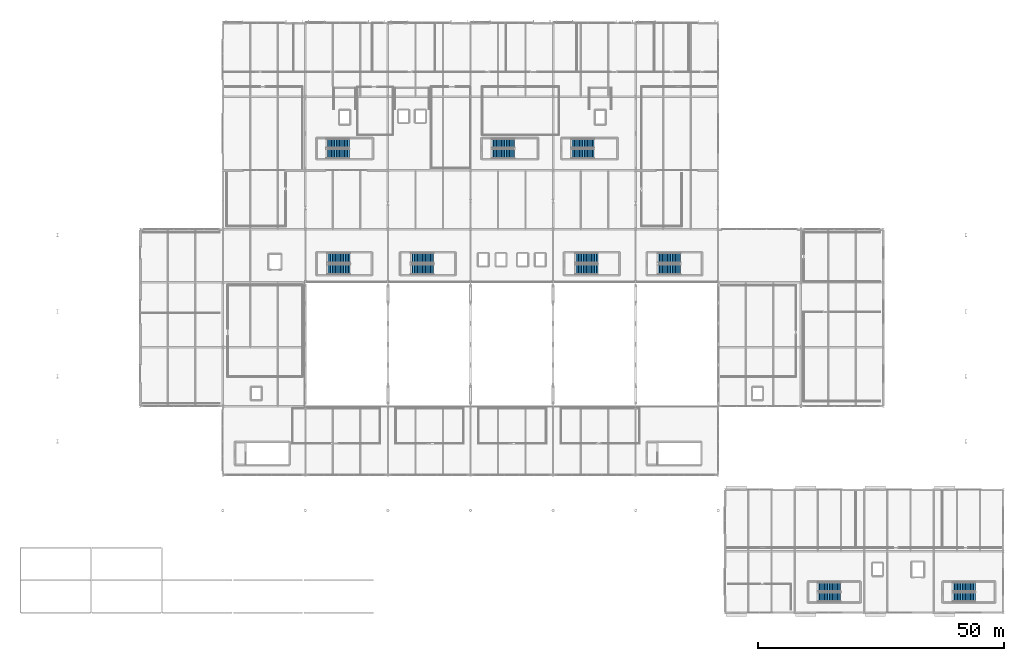
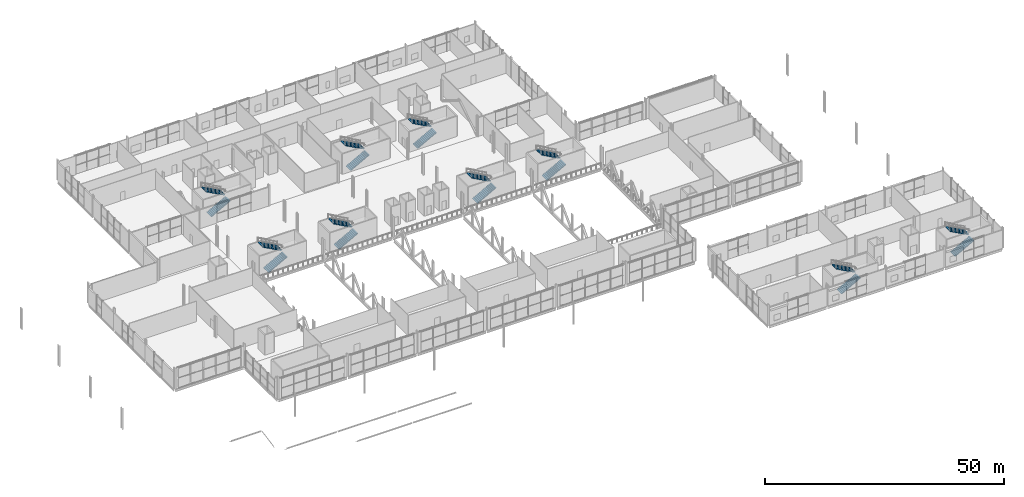
# One storey, part 69 of 84: 18 stair flights, 9 elements without a shape of their own.
"""IFC4 building model written with IfcOpenShell, lengths in metres."""

from ifc_helpers import new_model, si_unit, direction, frame, origin, place, context, subcontext, project, spatial, polyline, outline, extrude, material, type_object, element, aggregate, save


model = new_model("IFC4")

# Units and contexts
model_context = context("Model", 3, precision=1e-05, world=origin(), true_north=direction((0.0, 1.0)))
body_context = subcontext(model_context, "Body", "Model", "MODEL_VIEW")
ifc_project = project(units=[si_unit("LENGTHUNIT", "METRE"), si_unit("AREAUNIT", "SQUARE_METRE"), si_unit("VOLUMEUNIT", "CUBIC_METRE"), si_unit("PLANEANGLEUNIT", "RADIAN"), si_unit("MASSUNIT", "GRAM", prefix="KILO")], contexts=[model_context])

# Site, building, storey
site_placement = place(None, origin())
site = spatial("IfcSite", under=ifc_project, at=site_placement, CompositionType="ELEMENT")
building_placement = place(site_placement, origin())
building = spatial("IfcBuilding", under=site, at=building_placement, Name="Kimbaza Rail Terminus", CompositionType="ELEMENT")
storey_placement = place(building_placement, frame((0.0, 0.0, 5.39990234375)))
storey = spatial("IfcBuildingStorey", under=building, at=storey_placement, Name="L01", CompositionType="ELEMENT", Elevation=5.39990234375)

# Stair, stair flights
ifc_material_1 = material(Name="Concrete C40/50", Category="concrete")
stair_type_1 = type_object("IfcStairType", Name="ARC-STR-02", PredefinedType="HALF_TURN_STAIR", material=ifc_material_1)
stair_1_placement = place(storey_placement, origin())
stair_1 = element("IfcStair", 1, at=stair_1_placement, inside=storey, type_object=stair_type_1, Name="L01 Operations West Exit Stair", PredefinedType="HALF_TURN_STAIR")
ifc_material_2 = material(Name="Concrete C40/50", Category="concrete")
stair_flight_type_1 = type_object("IfcStairFlightType", Name="ARC-SFL-02", PredefinedType="STRAIGHT", material=ifc_material_2)
stair_flight_1_placement = place(storey_placement, frame((76.320068359375, 106.360107421875, 0.0), z_axis=(0.0, 0.0, 1.0), x_axis=(1.0, 0.0, 0.0)))
stair_flight_1 = element("IfcStairFlight", 2, at=stair_flight_1_placement, type_object=stair_flight_type_1, Name="ST-W1 flight 1", NumberOfRisers=15, NumberOfTreads=14, PredefinedType="STRAIGHT", RiserHeight=0.18, TreadLength=0.33, context=body_context, shape_type="SweptSolid", body=[
    extrude(outline(polyline([(0.0, 0.0), (0.0, 0.179931640625), (0.330078125, 0.179931640625), (0.330078125, 0.360107421875), (0.659912109375, 0.360107421875), (0.659912109375, 0.5400390625), (0.989990234375, 0.5400390625), (0.989990234375, 0.719970703125), (1.320068359375, 0.719970703125), (1.320068359375, 0.89990234375), (1.64990234375, 0.89990234375), (1.64990234375, 1.080078125), (1.97998046875, 1.080078125), (1.97998046875, 1.260009765625), (2.31005859375, 1.260009765625), (2.31005859375, 1.43994140625), (2.639892578125, 1.43994140625), (2.639892578125, 1.6201171875), (2.969970703125, 1.6201171875), (2.969970703125, 1.800048828125), (3.300048828125, 1.800048828125), (3.300048828125, 1.97998046875), (3.6298828125, 1.97998046875), (3.6298828125, 2.159912109375), (3.9599609375, 2.159912109375), (3.9599609375, 2.340087890625), (4.2900390625, 2.340087890625), (4.2900390625, 2.52001953125), (4.6201171875, 2.52001953125), (4.6201171875, 2.699951171875), (4.6201171875, 2.349365234375), (0.31298828125, 0.0), (0.0, 0.0)])), frame((0.0, 0.9599609375, 0.0), z_axis=(0.0, -1.0, 0.0), x_axis=(1.0, 0.0, 0.0)), (0.0, 0.0, 1.0), 1.919921875),
])
stair_flight_2_placement = place(storey_placement, frame((80.93994140625, 108.47998046875, 2.7001953125), z_axis=(0.0, 0.0, 1.0), x_axis=(-1.0, 0.0, 0.0)))
stair_flight_2 = element("IfcStairFlight", 3, at=stair_flight_2_placement, type_object=stair_flight_type_1, Name="ST-W1 flight 2", NumberOfRisers=15, NumberOfTreads=14, PredefinedType="STRAIGHT", RiserHeight=0.18, TreadLength=0.33, context=body_context, shape_type="SweptSolid", body=[
    extrude(outline(polyline([(0.0, 0.0), (0.0, 0.179931640625), (0.330078125, 0.179931640625), (0.330078125, 0.360107421875), (0.659912109375, 0.360107421875), (0.659912109375, 0.5400390625), (0.989990234375, 0.5400390625), (0.989990234375, 0.719970703125), (1.320068359375, 0.719970703125), (1.320068359375, 0.89990234375), (1.64990234375, 0.89990234375), (1.64990234375, 1.080078125), (1.97998046875, 1.080078125), (1.97998046875, 1.260009765625), (2.31005859375, 1.260009765625), (2.31005859375, 1.43994140625), (2.639892578125, 1.43994140625), (2.639892578125, 1.6201171875), (2.969970703125, 1.6201171875), (2.969970703125, 1.800048828125), (3.300048828125, 1.800048828125), (3.300048828125, 1.97998046875), (3.6298828125, 1.97998046875), (3.6298828125, 2.159912109375), (3.9599609375, 2.159912109375), (3.9599609375, 2.340087890625), (4.2900390625, 2.340087890625), (4.2900390625, 2.52001953125), (4.6201171875, 2.52001953125), (4.6201171875, 2.699951171875), (4.6201171875, 2.349365234375), (0.31298828125, 0.0), (0.0, 0.0)])), frame((0.0, 0.9599609375, 0.0), z_axis=(0.0, -1.0, 0.0), x_axis=(1.0, 0.0, 0.0)), (0.0, 0.0, 1.0), 1.919921875),
])
aggregate(stair_1, [stair_flight_1, stair_flight_2])

stair_2_placement = place(storey_placement, origin())
stair_2 = element("IfcStair", 4, at=stair_2_placement, inside=storey, type_object=stair_type_1, Name="L01 Operations Central Exit Stair", PredefinedType="HALF_TURN_STAIR")
stair_flight_3_placement = place(storey_placement, frame((109.919921875, 106.360107421875, 0.0), z_axis=(0.0, 0.0, 1.0), x_axis=(1.0, 0.0, 0.0)))
stair_flight_3 = element("IfcStairFlight", 5, at=stair_flight_3_placement, type_object=stair_flight_type_1, Name="ST-M1 flight 1", NumberOfRisers=15, NumberOfTreads=14, PredefinedType="STRAIGHT", RiserHeight=0.18, TreadLength=0.33, context=body_context, shape_type="SweptSolid", body=[
    extrude(outline(polyline([(0.0, 0.0), (0.0, 0.179931640625), (0.330078125, 0.179931640625), (0.330078125, 0.360107421875), (0.659912109375, 0.360107421875), (0.659912109375, 0.5400390625), (0.989990234375, 0.5400390625), (0.989990234375, 0.719970703125), (1.320068359375, 0.719970703125), (1.320068359375, 0.89990234375), (1.64990234375, 0.89990234375), (1.64990234375, 1.080078125), (1.97998046875, 1.080078125), (1.97998046875, 1.260009765625), (2.31005859375, 1.260009765625), (2.31005859375, 1.43994140625), (2.639892578125, 1.43994140625), (2.639892578125, 1.6201171875), (2.969970703125, 1.6201171875), (2.969970703125, 1.800048828125), (3.300048828125, 1.800048828125), (3.300048828125, 1.97998046875), (3.6298828125, 1.97998046875), (3.6298828125, 2.159912109375), (3.9599609375, 2.159912109375), (3.9599609375, 2.340087890625), (4.2900390625, 2.340087890625), (4.2900390625, 2.52001953125), (4.6201171875, 2.52001953125), (4.6201171875, 2.699951171875), (4.6201171875, 2.349365234375), (0.31298828125, 0.0), (0.0, 0.0)])), frame((0.0, 0.9599609375, 0.0), z_axis=(0.0, -1.0, 0.0), x_axis=(1.0, 0.0, 0.0)), (0.0, 0.0, 1.0), 1.919921875),
])
stair_flight_4_placement = place(storey_placement, frame((114.5400390625, 108.47998046875, 2.7001953125), z_axis=(0.0, 0.0, 1.0), x_axis=(-1.0, 0.0, 0.0)))
stair_flight_4 = element("IfcStairFlight", 6, at=stair_flight_4_placement, type_object=stair_flight_type_1, Name="ST-M1 flight 2", NumberOfRisers=15, NumberOfTreads=14, PredefinedType="STRAIGHT", RiserHeight=0.18, TreadLength=0.33, context=body_context, shape_type="SweptSolid", body=[
    extrude(outline(polyline([(0.0, 0.0), (0.0, 0.179931640625), (0.330078125, 0.179931640625), (0.330078125, 0.360107421875), (0.659912109375, 0.360107421875), (0.659912109375, 0.5400390625), (0.989990234375, 0.5400390625), (0.989990234375, 0.719970703125), (1.320068359375, 0.719970703125), (1.320068359375, 0.89990234375), (1.64990234375, 0.89990234375), (1.64990234375, 1.080078125), (1.97998046875, 1.080078125), (1.97998046875, 1.260009765625), (2.31005859375, 1.260009765625), (2.31005859375, 1.43994140625), (2.639892578125, 1.43994140625), (2.639892578125, 1.6201171875), (2.969970703125, 1.6201171875), (2.969970703125, 1.800048828125), (3.300048828125, 1.800048828125), (3.300048828125, 1.97998046875), (3.6298828125, 1.97998046875), (3.6298828125, 2.159912109375), (3.9599609375, 2.159912109375), (3.9599609375, 2.340087890625), (4.2900390625, 2.340087890625), (4.2900390625, 2.52001953125), (4.6201171875, 2.52001953125), (4.6201171875, 2.699951171875), (4.6201171875, 2.349365234375), (0.31298828125, 0.0), (0.0, 0.0)])), frame((0.0, 0.9599609375, 0.0), z_axis=(0.0, -1.0, 0.0), x_axis=(1.0, 0.0, 0.0)), (0.0, 0.0, 1.0), 1.919921875),
])
aggregate(stair_2, [stair_flight_3, stair_flight_4])

stair_3_placement = place(storey_placement, origin())
stair_3 = element("IfcStair", 7, at=stair_3_placement, inside=storey, type_object=stair_type_1, Name="L01 Operations East Exit Stair", PredefinedType="HALF_TURN_STAIR")
stair_flight_5_placement = place(storey_placement, frame((126.1201171875, 106.360107421875, 0.0), z_axis=(0.0, 0.0, 1.0), x_axis=(1.0, 0.0, 0.0)))
stair_flight_5 = element("IfcStairFlight", 8, at=stair_flight_5_placement, type_object=stair_flight_type_1, Name="ST-E1 flight 1", NumberOfRisers=15, NumberOfTreads=14, PredefinedType="STRAIGHT", RiserHeight=0.18, TreadLength=0.33, context=body_context, shape_type="SweptSolid", body=[
    extrude(outline(polyline([(0.0, 0.0), (0.0, 0.179931640625), (0.330078125, 0.179931640625), (0.330078125, 0.360107421875), (0.659912109375, 0.360107421875), (0.659912109375, 0.5400390625), (0.989990234375, 0.5400390625), (0.989990234375, 0.719970703125), (1.320068359375, 0.719970703125), (1.320068359375, 0.89990234375), (1.64990234375, 0.89990234375), (1.64990234375, 1.080078125), (1.97998046875, 1.080078125), (1.97998046875, 1.260009765625), (2.31005859375, 1.260009765625), (2.31005859375, 1.43994140625), (2.639892578125, 1.43994140625), (2.639892578125, 1.6201171875), (2.969970703125, 1.6201171875), (2.969970703125, 1.800048828125), (3.300048828125, 1.800048828125), (3.300048828125, 1.97998046875), (3.6298828125, 1.97998046875), (3.6298828125, 2.159912109375), (3.9599609375, 2.159912109375), (3.9599609375, 2.340087890625), (4.2900390625, 2.340087890625), (4.2900390625, 2.52001953125), (4.6201171875, 2.52001953125), (4.6201171875, 2.699951171875), (4.6201171875, 2.349365234375), (0.31298828125, 0.0), (0.0, 0.0)])), frame((0.0, 0.9599609375, 0.0), z_axis=(0.0, -1.0, 0.0), x_axis=(1.0, 0.0, 0.0)), (0.0, 0.0, 1.0), 1.919921875),
])
stair_flight_6_placement = place(storey_placement, frame((130.739990234375, 108.47998046875, 2.7001953125), z_axis=(0.0, 0.0, 1.0), x_axis=(-1.0, 0.0, 0.0)))
stair_flight_6 = element("IfcStairFlight", 9, at=stair_flight_6_placement, type_object=stair_flight_type_1, Name="ST-E1 flight 2", NumberOfRisers=15, NumberOfTreads=14, PredefinedType="STRAIGHT", RiserHeight=0.18, TreadLength=0.33, context=body_context, shape_type="SweptSolid", body=[
    extrude(outline(polyline([(0.0, 0.0), (0.0, 0.179931640625), (0.330078125, 0.179931640625), (0.330078125, 0.360107421875), (0.659912109375, 0.360107421875), (0.659912109375, 0.5400390625), (0.989990234375, 0.5400390625), (0.989990234375, 0.719970703125), (1.320068359375, 0.719970703125), (1.320068359375, 0.89990234375), (1.64990234375, 0.89990234375), (1.64990234375, 1.080078125), (1.97998046875, 1.080078125), (1.97998046875, 1.260009765625), (2.31005859375, 1.260009765625), (2.31005859375, 1.43994140625), (2.639892578125, 1.43994140625), (2.639892578125, 1.6201171875), (2.969970703125, 1.6201171875), (2.969970703125, 1.800048828125), (3.300048828125, 1.800048828125), (3.300048828125, 1.97998046875), (3.6298828125, 1.97998046875), (3.6298828125, 2.159912109375), (3.9599609375, 2.159912109375), (3.9599609375, 2.340087890625), (4.2900390625, 2.340087890625), (4.2900390625, 2.52001953125), (4.6201171875, 2.52001953125), (4.6201171875, 2.699951171875), (4.6201171875, 2.349365234375), (0.31298828125, 0.0), (0.0, 0.0)])), frame((0.0, 0.9599609375, 0.0), z_axis=(0.0, -1.0, 0.0), x_axis=(1.0, 0.0, 0.0)), (0.0, 0.0, 1.0), 1.919921875),
])
aggregate(stair_3, [stair_flight_5, stair_flight_6])

ifc_material_3 = material(Name="Concrete C40/50", Category="concrete")
stair_type_2 = type_object("IfcStairType", Name="ARC-STR-06", PredefinedType="HALF_TURN_STAIR", material=ifc_material_3)
stair_4_placement = place(storey_placement, origin())
stair_4 = element("IfcStair", 10, at=stair_4_placement, inside=storey, type_object=stair_type_2, Name="L01 Platform West Concourse Stair", PredefinedType="HALF_TURN_STAIR")
ifc_material_4 = material(Name="Concrete C40/50", Category="concrete")
stair_flight_type_2 = type_object("IfcStairFlightType", Name="ARC-SFL-06", PredefinedType="STRAIGHT", material=ifc_material_4)
stair_flight_7_placement = place(storey_placement, frame((76.5, 82.85009765625, 0.0), z_axis=(0.0, 0.0, 1.0), x_axis=(1.0, 0.0, 0.0)))
stair_flight_7 = element("IfcStairFlight", 11, at=stair_flight_7_placement, type_object=stair_flight_type_2, Name="ST-C1 flight 1", NumberOfRisers=15, NumberOfTreads=14, PredefinedType="STRAIGHT", RiserHeight=0.18, TreadLength=0.33, context=body_context, shape_type="SweptSolid", body=[
    extrude(outline(polyline([(0.0, 0.0), (0.0, 0.179931640625), (0.330078125, 0.179931640625), (0.330078125, 0.360107421875), (0.659912109375, 0.360107421875), (0.659912109375, 0.5400390625), (0.989990234375, 0.5400390625), (0.989990234375, 0.719970703125), (1.320068359375, 0.719970703125), (1.320068359375, 0.89990234375), (1.64990234375, 0.89990234375), (1.64990234375, 1.080078125), (1.97998046875, 1.080078125), (1.97998046875, 1.260009765625), (2.31005859375, 1.260009765625), (2.31005859375, 1.43994140625), (2.639892578125, 1.43994140625), (2.639892578125, 1.6201171875), (2.969970703125, 1.6201171875), (2.969970703125, 1.800048828125), (3.300048828125, 1.800048828125), (3.300048828125, 1.97998046875), (3.6298828125, 1.97998046875), (3.6298828125, 2.159912109375), (3.9599609375, 2.159912109375), (3.9599609375, 2.340087890625), (4.2900390625, 2.340087890625), (4.2900390625, 2.52001953125), (4.6201171875, 2.52001953125), (4.6201171875, 2.699951171875), (4.6201171875, 2.349365234375), (0.31298828125, 0.0), (0.0, 0.0)])), frame((0.0, 1.050048828125, 0.0), z_axis=(0.0, -1.0, 0.0), x_axis=(1.0, 0.0, 0.0)), (0.0, 0.0, 1.0), 2.10009765625),
])
stair_flight_8_placement = place(storey_placement, frame((81.1201171875, 85.14990234375, 2.7001953125), z_axis=(0.0, 0.0, 1.0), x_axis=(-1.0, 0.0, 0.0)))
stair_flight_8 = element("IfcStairFlight", 12, at=stair_flight_8_placement, type_object=stair_flight_type_2, Name="ST-C1 flight 2", NumberOfRisers=15, NumberOfTreads=14, PredefinedType="STRAIGHT", RiserHeight=0.18, TreadLength=0.33, context=body_context, shape_type="SweptSolid", body=[
    extrude(outline(polyline([(0.0, 0.0), (0.0, 0.179931640625), (0.330078125, 0.179931640625), (0.330078125, 0.360107421875), (0.659912109375, 0.360107421875), (0.659912109375, 0.5400390625), (0.989990234375, 0.5400390625), (0.989990234375, 0.719970703125), (1.320068359375, 0.719970703125), (1.320068359375, 0.89990234375), (1.64990234375, 0.89990234375), (1.64990234375, 1.080078125), (1.97998046875, 1.080078125), (1.97998046875, 1.260009765625), (2.31005859375, 1.260009765625), (2.31005859375, 1.43994140625), (2.639892578125, 1.43994140625), (2.639892578125, 1.6201171875), (2.969970703125, 1.6201171875), (2.969970703125, 1.800048828125), (3.300048828125, 1.800048828125), (3.300048828125, 1.97998046875), (3.6298828125, 1.97998046875), (3.6298828125, 2.159912109375), (3.9599609375, 2.159912109375), (3.9599609375, 2.340087890625), (4.2900390625, 2.340087890625), (4.2900390625, 2.52001953125), (4.6201171875, 2.52001953125), (4.6201171875, 2.699951171875), (4.6201171875, 2.349365234375), (0.31298828125, 0.0), (0.0, 0.0)])), frame((0.0, 1.050048828125, 0.0), z_axis=(0.0, -1.0, 0.0), x_axis=(1.0, 0.0, 0.0)), (0.0, 0.0, 1.0), 2.10009765625),
])
aggregate(stair_4, [stair_flight_7, stair_flight_8])

stair_5_placement = place(storey_placement, origin())
stair_5 = element("IfcStair", 13, at=stair_5_placement, inside=storey, type_object=stair_type_2, Name="L01 Platform East Concourse Stair", PredefinedType="HALF_TURN_STAIR")
stair_flight_9_placement = place(storey_placement, frame((143.699951171875, 82.85009765625, 0.0), z_axis=(0.0, 0.0, 1.0), x_axis=(1.0, 0.0, 0.0)))
stair_flight_9 = element("IfcStairFlight", 14, at=stair_flight_9_placement, type_object=stair_flight_type_2, Name="ST-C2 flight 1", NumberOfRisers=15, NumberOfTreads=14, PredefinedType="STRAIGHT", RiserHeight=0.18, TreadLength=0.33, context=body_context, shape_type="SweptSolid", body=[
    extrude(outline(polyline([(0.0, 0.0), (0.0, 0.179931640625), (0.330078125, 0.179931640625), (0.330078125, 0.360107421875), (0.659912109375, 0.360107421875), (0.659912109375, 0.5400390625), (0.989990234375, 0.5400390625), (0.989990234375, 0.719970703125), (1.320068359375, 0.719970703125), (1.320068359375, 0.89990234375), (1.64990234375, 0.89990234375), (1.64990234375, 1.080078125), (1.97998046875, 1.080078125), (1.97998046875, 1.260009765625), (2.31005859375, 1.260009765625), (2.31005859375, 1.43994140625), (2.639892578125, 1.43994140625), (2.639892578125, 1.6201171875), (2.969970703125, 1.6201171875), (2.969970703125, 1.800048828125), (3.300048828125, 1.800048828125), (3.300048828125, 1.97998046875), (3.6298828125, 1.97998046875), (3.6298828125, 2.159912109375), (3.9599609375, 2.159912109375), (3.9599609375, 2.340087890625), (4.2900390625, 2.340087890625), (4.2900390625, 2.52001953125), (4.6201171875, 2.52001953125), (4.6201171875, 2.699951171875), (4.6201171875, 2.349365234375), (0.31298828125, 0.0), (0.0, 0.0)])), frame((0.0, 1.050048828125, 0.0), z_axis=(0.0, -1.0, 0.0), x_axis=(1.0, 0.0, 0.0)), (0.0, 0.0, 1.0), 2.10009765625),
])
stair_flight_10_placement = place(storey_placement, frame((148.320068359375, 85.14990234375, 2.7001953125), z_axis=(0.0, 0.0, 1.0), x_axis=(-1.0, 0.0, 0.0)))
stair_flight_10 = element("IfcStairFlight", 15, at=stair_flight_10_placement, type_object=stair_flight_type_2, Name="ST-C2 flight 2", NumberOfRisers=15, NumberOfTreads=14, PredefinedType="STRAIGHT", RiserHeight=0.18, TreadLength=0.33, context=body_context, shape_type="SweptSolid", body=[
    extrude(outline(polyline([(0.0, 0.0), (0.0, 0.179931640625), (0.330078125, 0.179931640625), (0.330078125, 0.360107421875), (0.659912109375, 0.360107421875), (0.659912109375, 0.5400390625), (0.989990234375, 0.5400390625), (0.989990234375, 0.719970703125), (1.320068359375, 0.719970703125), (1.320068359375, 0.89990234375), (1.64990234375, 0.89990234375), (1.64990234375, 1.080078125), (1.97998046875, 1.080078125), (1.97998046875, 1.260009765625), (2.31005859375, 1.260009765625), (2.31005859375, 1.43994140625), (2.639892578125, 1.43994140625), (2.639892578125, 1.6201171875), (2.969970703125, 1.6201171875), (2.969970703125, 1.800048828125), (3.300048828125, 1.800048828125), (3.300048828125, 1.97998046875), (3.6298828125, 1.97998046875), (3.6298828125, 2.159912109375), (3.9599609375, 2.159912109375), (3.9599609375, 2.340087890625), (4.2900390625, 2.340087890625), (4.2900390625, 2.52001953125), (4.6201171875, 2.52001953125), (4.6201171875, 2.699951171875), (4.6201171875, 2.349365234375), (0.31298828125, 0.0), (0.0, 0.0)])), frame((0.0, 1.050048828125, 0.0), z_axis=(0.0, -1.0, 0.0), x_axis=(1.0, 0.0, 0.0)), (0.0, 0.0, 1.0), 2.10009765625),
])
aggregate(stair_5, [stair_flight_9, stair_flight_10])

stair_6_placement = place(storey_placement, origin())
stair_6 = element("IfcStair", 16, at=stair_6_placement, inside=storey, type_object=stair_type_2, Name="L01 Footbridge West Platform Stair", PredefinedType="HALF_TURN_STAIR")
stair_flight_11_placement = place(storey_placement, frame((93.5, 82.85009765625, 0.0), z_axis=(0.0, 0.0, 1.0), x_axis=(1.0, 0.0, 0.0)))
stair_flight_11 = element("IfcStairFlight", 17, at=stair_flight_11_placement, type_object=stair_flight_type_2, Name="ST-C3 flight 1", NumberOfRisers=15, NumberOfTreads=14, PredefinedType="STRAIGHT", RiserHeight=0.18, TreadLength=0.33, context=body_context, shape_type="SweptSolid", body=[
    extrude(outline(polyline([(0.0, 0.0), (0.0, 0.179931640625), (0.330078125, 0.179931640625), (0.330078125, 0.360107421875), (0.659912109375, 0.360107421875), (0.659912109375, 0.5400390625), (0.989990234375, 0.5400390625), (0.989990234375, 0.719970703125), (1.320068359375, 0.719970703125), (1.320068359375, 0.89990234375), (1.64990234375, 0.89990234375), (1.64990234375, 1.080078125), (1.97998046875, 1.080078125), (1.97998046875, 1.260009765625), (2.31005859375, 1.260009765625), (2.31005859375, 1.43994140625), (2.639892578125, 1.43994140625), (2.639892578125, 1.6201171875), (2.969970703125, 1.6201171875), (2.969970703125, 1.800048828125), (3.300048828125, 1.800048828125), (3.300048828125, 1.97998046875), (3.6298828125, 1.97998046875), (3.6298828125, 2.159912109375), (3.9599609375, 2.159912109375), (3.9599609375, 2.340087890625), (4.2900390625, 2.340087890625), (4.2900390625, 2.52001953125), (4.6201171875, 2.52001953125), (4.6201171875, 2.699951171875), (4.6201171875, 2.349365234375), (0.31298828125, 0.0), (0.0, 0.0)])), frame((0.0, 1.050048828125, 0.0), z_axis=(0.0, -1.0, 0.0), x_axis=(1.0, 0.0, 0.0)), (0.0, 0.0, 1.0), 2.10009765625),
])
stair_flight_12_placement = place(storey_placement, frame((98.1201171875, 85.14990234375, 2.7001953125), z_axis=(0.0, 0.0, 1.0), x_axis=(-1.0, 0.0, 0.0)))
stair_flight_12 = element("IfcStairFlight", 18, at=stair_flight_12_placement, type_object=stair_flight_type_2, Name="ST-C3 flight 2", NumberOfRisers=15, NumberOfTreads=14, PredefinedType="STRAIGHT", RiserHeight=0.18, TreadLength=0.33, context=body_context, shape_type="SweptSolid", body=[
    extrude(outline(polyline([(0.0, 0.0), (0.0, 0.179931640625), (0.330078125, 0.179931640625), (0.330078125, 0.360107421875), (0.659912109375, 0.360107421875), (0.659912109375, 0.5400390625), (0.989990234375, 0.5400390625), (0.989990234375, 0.719970703125), (1.320068359375, 0.719970703125), (1.320068359375, 0.89990234375), (1.64990234375, 0.89990234375), (1.64990234375, 1.080078125), (1.97998046875, 1.080078125), (1.97998046875, 1.260009765625), (2.31005859375, 1.260009765625), (2.31005859375, 1.43994140625), (2.639892578125, 1.43994140625), (2.639892578125, 1.6201171875), (2.969970703125, 1.6201171875), (2.969970703125, 1.800048828125), (3.300048828125, 1.800048828125), (3.300048828125, 1.97998046875), (3.6298828125, 1.97998046875), (3.6298828125, 2.159912109375), (3.9599609375, 2.159912109375), (3.9599609375, 2.340087890625), (4.2900390625, 2.340087890625), (4.2900390625, 2.52001953125), (4.6201171875, 2.52001953125), (4.6201171875, 2.699951171875), (4.6201171875, 2.349365234375), (0.31298828125, 0.0), (0.0, 0.0)])), frame((0.0, 1.050048828125, 0.0), z_axis=(0.0, -1.0, 0.0), x_axis=(1.0, 0.0, 0.0)), (0.0, 0.0, 1.0), 2.10009765625),
])
aggregate(stair_6, [stair_flight_11, stair_flight_12])

stair_7_placement = place(storey_placement, origin())
stair_7 = element("IfcStair", 19, at=stair_7_placement, inside=storey, type_object=stair_type_2, Name="L01 Footbridge East Platform Stair", PredefinedType="HALF_TURN_STAIR")
stair_flight_13_placement = place(storey_placement, frame((126.89990234375, 82.85009765625, 0.0), z_axis=(0.0, 0.0, 1.0), x_axis=(1.0, 0.0, 0.0)))
stair_flight_13 = element("IfcStairFlight", 20, at=stair_flight_13_placement, type_object=stair_flight_type_2, Name="ST-C4 flight 1", NumberOfRisers=15, NumberOfTreads=14, PredefinedType="STRAIGHT", RiserHeight=0.18, TreadLength=0.33, context=body_context, shape_type="SweptSolid", body=[
    extrude(outline(polyline([(0.0, 0.0), (0.0, 0.179931640625), (0.330078125, 0.179931640625), (0.330078125, 0.360107421875), (0.659912109375, 0.360107421875), (0.659912109375, 0.5400390625), (0.989990234375, 0.5400390625), (0.989990234375, 0.719970703125), (1.320068359375, 0.719970703125), (1.320068359375, 0.89990234375), (1.64990234375, 0.89990234375), (1.64990234375, 1.080078125), (1.97998046875, 1.080078125), (1.97998046875, 1.260009765625), (2.31005859375, 1.260009765625), (2.31005859375, 1.43994140625), (2.639892578125, 1.43994140625), (2.639892578125, 1.6201171875), (2.969970703125, 1.6201171875), (2.969970703125, 1.800048828125), (3.300048828125, 1.800048828125), (3.300048828125, 1.97998046875), (3.6298828125, 1.97998046875), (3.6298828125, 2.159912109375), (3.9599609375, 2.159912109375), (3.9599609375, 2.340087890625), (4.2900390625, 2.340087890625), (4.2900390625, 2.52001953125), (4.6201171875, 2.52001953125), (4.6201171875, 2.699951171875), (4.6201171875, 2.349365234375), (0.31298828125, 0.0), (0.0, 0.0)])), frame((0.0, 1.050048828125, 0.0), z_axis=(0.0, -1.0, 0.0), x_axis=(1.0, 0.0, 0.0)), (0.0, 0.0, 1.0), 2.10009765625),
])
stair_flight_14_placement = place(storey_placement, frame((131.52001953125, 85.14990234375, 2.7001953125), z_axis=(0.0, 0.0, 1.0), x_axis=(-1.0, 0.0, 0.0)))
stair_flight_14 = element("IfcStairFlight", 21, at=stair_flight_14_placement, type_object=stair_flight_type_2, Name="ST-C4 flight 2", NumberOfRisers=15, NumberOfTreads=14, PredefinedType="STRAIGHT", RiserHeight=0.18, TreadLength=0.33, context=body_context, shape_type="SweptSolid", body=[
    extrude(outline(polyline([(0.0, 0.0), (0.0, 0.179931640625), (0.330078125, 0.179931640625), (0.330078125, 0.360107421875), (0.659912109375, 0.360107421875), (0.659912109375, 0.5400390625), (0.989990234375, 0.5400390625), (0.989990234375, 0.719970703125), (1.320068359375, 0.719970703125), (1.320068359375, 0.89990234375), (1.64990234375, 0.89990234375), (1.64990234375, 1.080078125), (1.97998046875, 1.080078125), (1.97998046875, 1.260009765625), (2.31005859375, 1.260009765625), (2.31005859375, 1.43994140625), (2.639892578125, 1.43994140625), (2.639892578125, 1.6201171875), (2.969970703125, 1.6201171875), (2.969970703125, 1.800048828125), (3.300048828125, 1.800048828125), (3.300048828125, 1.97998046875), (3.6298828125, 1.97998046875), (3.6298828125, 2.159912109375), (3.9599609375, 2.159912109375), (3.9599609375, 2.340087890625), (4.2900390625, 2.340087890625), (4.2900390625, 2.52001953125), (4.6201171875, 2.52001953125), (4.6201171875, 2.699951171875), (4.6201171875, 2.349365234375), (0.31298828125, 0.0), (0.0, 0.0)])), frame((0.0, 1.050048828125, 0.0), z_axis=(0.0, -1.0, 0.0), x_axis=(1.0, 0.0, 0.0)), (0.0, 0.0, 1.0), 2.10009765625),
])
aggregate(stair_7, [stair_flight_13, stair_flight_14])

ifc_material_5 = material(Name="Concrete C40/50", Category="concrete")
stair_type_3 = type_object("IfcStairType", Name="ARC-STR-07", PredefinedType="HALF_TURN_STAIR", material=ifc_material_5)
stair_8_placement = place(storey_placement, origin())
stair_8 = element("IfcStair", 22, at=stair_8_placement, inside=storey, type_object=stair_type_3, Name="L01 Retail Pavilion West Stair", PredefinedType="HALF_TURN_STAIR")
ifc_material_6 = material(Name="Concrete C40/50", Category="concrete")
stair_flight_type_3 = type_object("IfcStairFlightType", Name="ARC-SFL-07", PredefinedType="STRAIGHT", material=ifc_material_6)
stair_flight_15_placement = place(storey_placement, frame((176.300048828125, 16.14990234375, 0.0), z_axis=(0.0, 0.0, 1.0), x_axis=(1.0, 0.0, 0.0)))
stair_flight_15 = element("IfcStairFlight", 23, at=stair_flight_15_placement, type_object=stair_flight_type_3, Name="ST-P1 flight 1", NumberOfRisers=15, NumberOfTreads=14, PredefinedType="STRAIGHT", RiserHeight=0.18, TreadLength=0.33, context=body_context, shape_type="SweptSolid", body=[
    extrude(outline(polyline([(0.0, 0.0), (0.0, 0.179931640625), (0.330078125, 0.179931640625), (0.330078125, 0.360107421875), (0.659912109375, 0.360107421875), (0.659912109375, 0.5400390625), (0.989990234375, 0.5400390625), (0.989990234375, 0.719970703125), (1.320068359375, 0.719970703125), (1.320068359375, 0.89990234375), (1.64990234375, 0.89990234375), (1.64990234375, 1.080078125), (1.97998046875, 1.080078125), (1.97998046875, 1.260009765625), (2.31005859375, 1.260009765625), (2.31005859375, 1.43994140625), (2.639892578125, 1.43994140625), (2.639892578125, 1.6201171875), (2.969970703125, 1.6201171875), (2.969970703125, 1.800048828125), (3.300048828125, 1.800048828125), (3.300048828125, 1.97998046875), (3.6298828125, 1.97998046875), (3.6298828125, 2.159912109375), (3.9599609375, 2.159912109375), (3.9599609375, 2.340087890625), (4.2900390625, 2.340087890625), (4.2900390625, 2.52001953125), (4.6201171875, 2.52001953125), (4.6201171875, 2.699951171875), (4.6201171875, 2.349365234375), (0.31298828125, 0.0), (0.0, 0.0)])), frame((0.0, 0.949951171875, 0.0), z_axis=(0.0, -1.0, 0.0), x_axis=(1.0, 0.0, 0.0)), (0.0, 0.0, 1.0), 1.89990234375),
])
stair_flight_16_placement = place(storey_placement, frame((180.919921875, 18.25, 2.7001953125), z_axis=(0.0, 0.0, 1.0), x_axis=(-1.0, 0.0, 0.0)))
stair_flight_16 = element("IfcStairFlight", 24, at=stair_flight_16_placement, type_object=stair_flight_type_3, Name="ST-P1 flight 2", NumberOfRisers=15, NumberOfTreads=14, PredefinedType="STRAIGHT", RiserHeight=0.18, TreadLength=0.33, context=body_context, shape_type="SweptSolid", body=[
    extrude(outline(polyline([(0.0, 0.0), (0.0, 0.179931640625), (0.330078125, 0.179931640625), (0.330078125, 0.360107421875), (0.659912109375, 0.360107421875), (0.659912109375, 0.5400390625), (0.989990234375, 0.5400390625), (0.989990234375, 0.719970703125), (1.320068359375, 0.719970703125), (1.320068359375, 0.89990234375), (1.64990234375, 0.89990234375), (1.64990234375, 1.080078125), (1.97998046875, 1.080078125), (1.97998046875, 1.260009765625), (2.31005859375, 1.260009765625), (2.31005859375, 1.43994140625), (2.639892578125, 1.43994140625), (2.639892578125, 1.6201171875), (2.969970703125, 1.6201171875), (2.969970703125, 1.800048828125), (3.300048828125, 1.800048828125), (3.300048828125, 1.97998046875), (3.6298828125, 1.97998046875), (3.6298828125, 2.159912109375), (3.9599609375, 2.159912109375), (3.9599609375, 2.340087890625), (4.2900390625, 2.340087890625), (4.2900390625, 2.52001953125), (4.6201171875, 2.52001953125), (4.6201171875, 2.699951171875), (4.6201171875, 2.349365234375), (0.31298828125, 0.0), (0.0, 0.0)])), frame((0.0, 0.949951171875, 0.0), z_axis=(0.0, -1.0, 0.0), x_axis=(1.0, 0.0, 0.0)), (0.0, 0.0, 1.0), 1.89990234375),
])
aggregate(stair_8, [stair_flight_15, stair_flight_16])

stair_9_placement = place(storey_placement, origin())
stair_9 = element("IfcStair", 25, at=stair_9_placement, inside=storey, type_object=stair_type_3, Name="L01 Retail Pavilion East Stair", PredefinedType="HALF_TURN_STAIR")
stair_flight_17_placement = place(storey_placement, frame((203.699951171875, 16.14990234375, 0.0), z_axis=(0.0, 0.0, 1.0), x_axis=(1.0, 0.0, 0.0)))
stair_flight_17 = element("IfcStairFlight", 26, at=stair_flight_17_placement, type_object=stair_flight_type_3, Name="ST-P2 flight 1", NumberOfRisers=15, NumberOfTreads=14, PredefinedType="STRAIGHT", RiserHeight=0.18, TreadLength=0.33, context=body_context, shape_type="SweptSolid", body=[
    extrude(outline(polyline([(0.0, 0.0), (0.0, 0.179931640625), (0.330078125, 0.179931640625), (0.330078125, 0.360107421875), (0.659912109375, 0.360107421875), (0.659912109375, 0.5400390625), (0.989990234375, 0.5400390625), (0.989990234375, 0.719970703125), (1.320068359375, 0.719970703125), (1.320068359375, 0.89990234375), (1.64990234375, 0.89990234375), (1.64990234375, 1.080078125), (1.97998046875, 1.080078125), (1.97998046875, 1.260009765625), (2.31005859375, 1.260009765625), (2.31005859375, 1.43994140625), (2.639892578125, 1.43994140625), (2.639892578125, 1.6201171875), (2.969970703125, 1.6201171875), (2.969970703125, 1.800048828125), (3.300048828125, 1.800048828125), (3.300048828125, 1.97998046875), (3.6298828125, 1.97998046875), (3.6298828125, 2.159912109375), (3.9599609375, 2.159912109375), (3.9599609375, 2.340087890625), (4.2900390625, 2.340087890625), (4.2900390625, 2.52001953125), (4.6201171875, 2.52001953125), (4.6201171875, 2.699951171875), (4.6201171875, 2.349365234375), (0.31298828125, 0.0), (0.0, 0.0)])), frame((0.0, 0.949951171875, 0.0), z_axis=(0.0, -1.0, 0.0), x_axis=(1.0, 0.0, 0.0)), (0.0, 0.0, 1.0), 1.89990234375),
])
stair_flight_18_placement = place(storey_placement, frame((208.320068359375, 18.25, 2.7001953125), z_axis=(0.0, 0.0, 1.0), x_axis=(-1.0, 0.0, 0.0)))
stair_flight_18 = element("IfcStairFlight", 27, at=stair_flight_18_placement, type_object=stair_flight_type_3, Name="ST-P2 flight 2", NumberOfRisers=15, NumberOfTreads=14, PredefinedType="STRAIGHT", RiserHeight=0.18, TreadLength=0.33, context=body_context, shape_type="SweptSolid", body=[
    extrude(outline(polyline([(0.0, 0.0), (0.0, 0.179931640625), (0.330078125, 0.179931640625), (0.330078125, 0.360107421875), (0.659912109375, 0.360107421875), (0.659912109375, 0.5400390625), (0.989990234375, 0.5400390625), (0.989990234375, 0.719970703125), (1.320068359375, 0.719970703125), (1.320068359375, 0.89990234375), (1.64990234375, 0.89990234375), (1.64990234375, 1.080078125), (1.97998046875, 1.080078125), (1.97998046875, 1.260009765625), (2.31005859375, 1.260009765625), (2.31005859375, 1.43994140625), (2.639892578125, 1.43994140625), (2.639892578125, 1.6201171875), (2.969970703125, 1.6201171875), (2.969970703125, 1.800048828125), (3.300048828125, 1.800048828125), (3.300048828125, 1.97998046875), (3.6298828125, 1.97998046875), (3.6298828125, 2.159912109375), (3.9599609375, 2.159912109375), (3.9599609375, 2.340087890625), (4.2900390625, 2.340087890625), (4.2900390625, 2.52001953125), (4.6201171875, 2.52001953125), (4.6201171875, 2.699951171875), (4.6201171875, 2.349365234375), (0.31298828125, 0.0), (0.0, 0.0)])), frame((0.0, 0.949951171875, 0.0), z_axis=(0.0, -1.0, 0.0), x_axis=(1.0, 0.0, 0.0)), (0.0, 0.0, 1.0), 1.89990234375),
])
aggregate(stair_9, [stair_flight_17, stair_flight_18])

save(model, "model.ifc")
